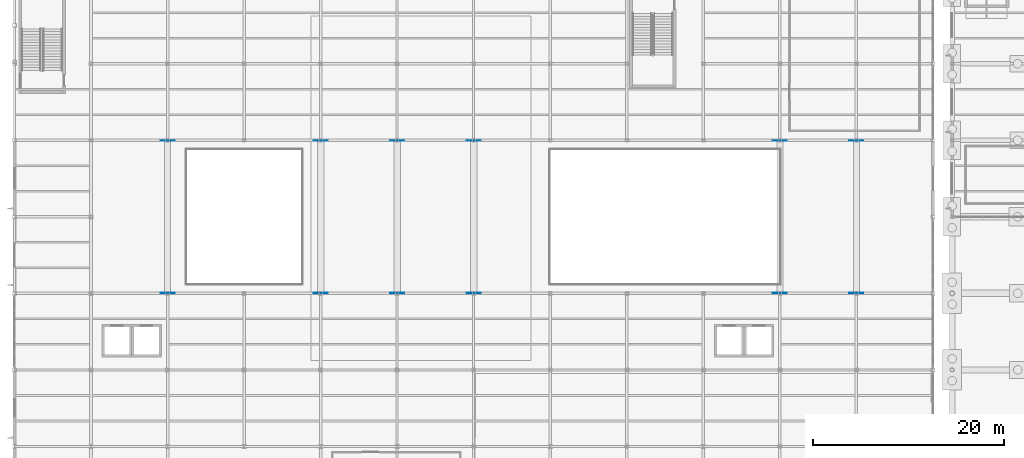
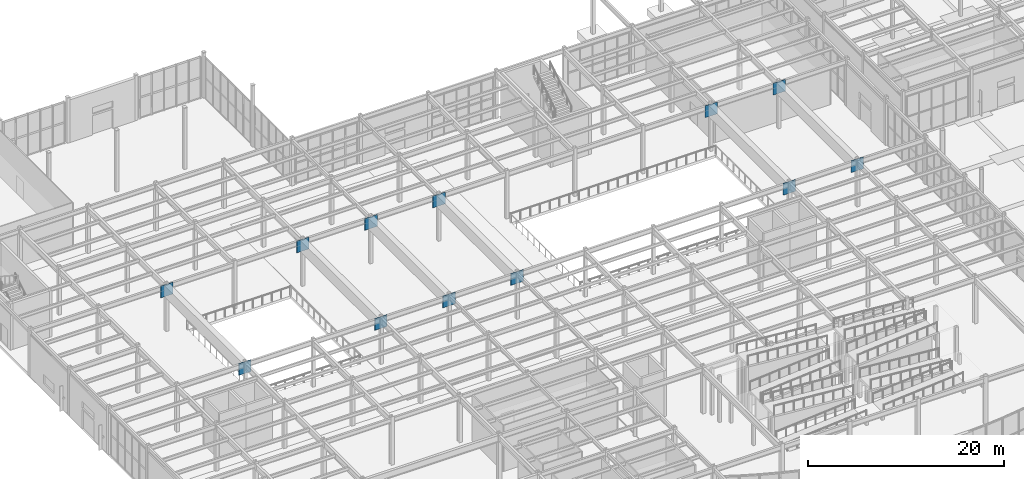
# One storey, part 66 of 82: 12 discrete accessories.
"""IFC4 building model written with IfcOpenShell, lengths in metres."""

import ifcopenshell
import ifcopenshell.guid

model = None  # the IFC model being written
_history = None  # IfcOwnerHistory: only IFC2X3 demands one
_inside = {}  # id of a spatial element -> (the spatial element, [elements in it])
_under = {}  # id of a project, library or spatial element -> (it, [spatial elements below it])
_declared = {}  # id of a project -> (the project, [libraries it declares])
_typed = {}  # id of a type object -> (the type object, [elements of that type])
_made_of = {}  # id of a material, layer set ... -> (it, [elements and type objects made of it])


def new_model(schema):
    """Start an empty IFC model of exactly this schema.

    Asked for "IFC4X3", IfcOpenShell would pick the latest addendum, in which some entities
    have other attributes; the version numbers below select the first issue.
    IFC2X3 requires an IfcOwnerHistory on every rooted entity: one is made here for all.
    """
    global model, _history
    if schema == "IFC4X3":
        model = ifcopenshell.file(schema_version=(4, 3, 0, 0))
    else:
        model = ifcopenshell.file(schema=schema)
    _inside.clear()
    _under.clear()
    _declared.clear()
    _typed.clear()
    _made_of.clear()
    _history = None
    if model.schema == "IFC2X3":
        org = make("IfcOrganization", Name="unknown")
        user = make(
            "IfcPersonAndOrganization",
            ThePerson=make("IfcPerson", FamilyName="unknown"),
            TheOrganization=org,
        )
        app = make(
            "IfcApplication",
            ApplicationDeveloper=org,
            Version="unknown",
            ApplicationFullName="unknown",
            ApplicationIdentifier="unknown",
        )
        _history = make(
            "IfcOwnerHistory",
            OwningUser=user,
            OwningApplication=app,
            ChangeAction="ADDED",
            CreationDate=0,
        )
    return model


def make(cls, **values):
    """One entity of the class cls with the attributes given. An attribute that is None is left unset."""
    return model.create_entity(
        cls, **{name: value for name, value in values.items() if value is not None}
    )


def rooted(cls, **values):
    """An entity with a GlobalId (a new one), such as an element, a storey or a relation."""
    return make(cls, GlobalId=ifcopenshell.guid.new(), OwnerHistory=_history, **values)


def si_unit(unit_type, name, prefix=None):
    """IfcSIUnit, for example si_unit("LENGTHUNIT", "METRE", prefix="MILLI")."""
    return make("IfcSIUnit", UnitType=unit_type, Prefix=prefix, Name=name)


def assignment(units):
    """IfcUnitAssignment: the units of a project."""
    return None if units is None else make("IfcUnitAssignment", Units=units)


def point(xyz):
    """IfcCartesianPoint."""
    return None if xyz is None else make("IfcCartesianPoint", Coordinates=xyz)


def direction(xyz):
    """IfcDirection."""
    return None if xyz is None else make("IfcDirection", DirectionRatios=xyz)


def frame(location, z_axis=None, x_axis=None):
    """IfcAxis2Placement3D, a coordinate frame: its origin and axes. An axis left out is left unset."""
    return make(
        "IfcAxis2Placement3D",
        Location=point(location),
        Axis=direction(z_axis),
        RefDirection=direction(x_axis),
    )


def frame_2d(location, x_axis=None):
    """IfcAxis2Placement2D, a coordinate frame in the plane: its origin and x axis."""
    return make(
        "IfcAxis2Placement2D", Location=point(location), RefDirection=direction(x_axis)
    )


def origin():
    """The frame at (0, 0, 0) with its axes left unset."""
    return frame((0.0, 0.0, 0.0))


def origin_2d():
    """The frame at (0, 0) in the plane with its x axis left unset."""
    return frame_2d((0.0, 0.0))


def place(relative_to, where):
    """IfcLocalPlacement: puts the frame where relative to a parent placement (None: the world)."""
    return make(
        "IfcLocalPlacement", PlacementRelTo=relative_to, RelativePlacement=where
    )


def context(
    kind, dimensions, precision=None, world=None, true_north=None, identifier=None
):
    """IfcGeometricRepresentationContext, for example the 3D "Model" context."""
    return make(
        "IfcGeometricRepresentationContext",
        ContextIdentifier=identifier,
        ContextType=kind,
        CoordinateSpaceDimension=dimensions,
        Precision=precision,
        WorldCoordinateSystem=world,
        TrueNorth=true_north,
    )


def subcontext(parent, identifier, kind, view, scale=None):
    """IfcGeometricRepresentationSubContext, for example "Body" below "Model"."""
    return make(
        "IfcGeometricRepresentationSubContext",
        ContextIdentifier=identifier,
        ContextType=kind,
        ParentContext=parent,
        TargetScale=scale,
        TargetView=view,
    )


def project(units=None, contexts=None):
    """IfcProject with its units and contexts."""
    return rooted(
        "IfcProject",
        Name="project",
        RepresentationContexts=contexts,
        UnitsInContext=assignment(units),
    )


def spatial(cls, under=None, at=None, **own):
    """A site, building, storey or space (cls), placed at a placement, below another one or the project."""
    s = rooted(cls, ObjectPlacement=at, **own)
    if under is not None:
        _under.setdefault(under.id(), (under, []))[1].append(s)
    return s


def profile(cls, at=None, kind="AREA", **sizes):
    """A parametric profile (cls). Its sizes go by their IFC names, for example OverallWidth=200.0."""
    return make(cls, ProfileType=kind, Position=at, **sizes)


def rectangle(**sizes):
    """IfcRectangleProfileDef."""
    return profile("IfcRectangleProfileDef", **sizes)


def extrude(swept, where, along, depth):
    """IfcExtrudedAreaSolid: the profile swept, set in the frame where, extruded along a direction by depth."""
    return make(
        "IfcExtrudedAreaSolid",
        SweptArea=swept,
        Position=where,
        ExtrudedDirection=direction(along),
        Depth=depth,
    )


def shape(context_of_items, identifier, shape_type, items):
    """IfcShapeRepresentation: the items that make up one representation, for example the "Body"."""
    return make(
        "IfcShapeRepresentation",
        ContextOfItems=context_of_items,
        RepresentationIdentifier=identifier,
        RepresentationType=shape_type,
        Items=items,
    )


def material(Name=None, Category=None):
    """IfcMaterial."""
    return make("IfcMaterial", Name=Name, Category=Category)


def made_of(thing, what):
    """Note that an element or type object is made of a material, layer set ...; save() writes the relation."""
    if what is not None:
        _made_of.setdefault(what.id(), (what, []))[1].append(thing)
    return thing


def type_object(cls, material=None, **own):
    """A type object (cls), such as IfcWallType, which elements share."""
    return made_of(rooted(cls, **own), material)


def element(
    cls,
    number,
    at=None,
    inside=None,
    cuts=None,
    type_object=None,
    material=None,
    context=None,
    identifier="Body",
    shape_type=None,
    held_by="IfcProductDefinitionShape",
    body=None,
    shapes=None,
    **own,
):
    """One element of the class cls, such as IfcWall. Its Tag is "e" and its number.

    at: its placement. inside: the storey or other place that contains it. cuts: it is an
    opening in that element (IfcRelVoidsElement). A single representation is given by context,
    identifier, shape_type and body (its items); several are given by shapes. held_by: the class
    of the entity that holds the representations. save() writes the other relations.
    """
    e = rooted(cls, Tag="e%d" % number, ObjectPlacement=at, **own)
    if body is not None:
        shapes = [shape(context, identifier, shape_type, body)]
    if shapes is not None:
        e.Representation = make(held_by, Representations=shapes)
    if inside is not None:
        _inside.setdefault(inside.id(), (inside, []))[1].append(e)
    if cuts is not None:
        rooted(
            "IfcRelVoidsElement", RelatingBuildingElement=cuts, RelatedOpeningElement=e
        )
    if type_object is not None:
        _typed.setdefault(type_object.id(), (type_object, []))[1].append(e)
    return made_of(e, material)


def aggregate(whole, parts):
    """IfcRelAggregates: a whole, such as a stair, and the parts it consists of."""
    return rooted("IfcRelAggregates", RelatingObject=whole, RelatedObjects=parts)


def save(model, path):
    """Write the relations noted so far, then the file.

    IfcRelAggregates (storeys below a building ...), IfcRelContainedInSpatialStructure (elements
    in a storey), IfcRelDefinesByType, IfcRelAssociatesMaterial and IfcRelDeclares: one each for
    every whole, place, type object, material and project.
    """
    for whole, parts in _under.values():
        aggregate(whole, parts)
    for where, things in _inside.values():
        rooted(
            "IfcRelContainedInSpatialStructure",
            RelatedElements=things,
            RelatingStructure=where,
        )
    for kind, things in _typed.values():
        rooted("IfcRelDefinesByType", RelatedObjects=things, RelatingType=kind)
    for what, things in _made_of.values():
        rooted("IfcRelAssociatesMaterial", RelatedObjects=things, RelatingMaterial=what)
    for by, libraries in _declared.values():
        rooted("IfcRelDeclares", RelatingContext=by, RelatedDefinitions=libraries)
    model.write(path)


model = new_model("IFC4")

# Units and contexts
model_context = context("Model", 3, precision=1e-05, world=origin(), true_north=direction((0.0, 1.0)))
body_context = subcontext(model_context, "Body", "Model", "MODEL_VIEW")
ifc_project = project(units=[si_unit("LENGTHUNIT", "METRE"), si_unit("AREAUNIT", "SQUARE_METRE"), si_unit("VOLUMEUNIT", "CUBIC_METRE"), si_unit("PLANEANGLEUNIT", "RADIAN"), si_unit("MASSUNIT", "GRAM", prefix="KILO")], contexts=[model_context])

# Site, building, storey
site_placement = place(None, origin())
site = spatial("IfcSite", under=ifc_project, at=site_placement, CompositionType="ELEMENT")
building_placement = place(site_placement, origin())
building = spatial("IfcBuilding", under=site, at=building_placement, Name="Drelvath Fold Interchange", CompositionType="ELEMENT")
storey_placement = place(building_placement, origin())
storey = spatial("IfcBuildingStorey", under=building, at=storey_placement, Name="L00", CompositionType="ELEMENT", Elevation=0.0)

# Discrete accessories
ifc_material = material(Name="Steel ASTM A572 Grade 50", Category="steel")
discrete_accessory_type = type_object("IfcDiscreteAccessoryType", Name="AC-CAP380", PredefinedType="BRACKET", material=ifc_material)
for number, where, z_axis, x_axis, name in (
    (1, (20.0, 67.054931640625, 4.330078125), (0.0, 0.0, 1.0), (1.0, 0.0, 0.0), "Welded hollow member end cap 128"),
    (2, (20.0, 82.945068359375, 4.330078125), (0.0, 0.0, 1.0), (1.0, 0.0, 0.0), "Welded hollow member end cap 129"),
    (3, (36.0, 67.054931640625, 4.330078125), (0.0, 0.0, 1.0), (1.0, 0.0, 0.0), "Welded hollow member end cap 130"),
    (4, (36.0, 82.945068359375, 4.330078125), (0.0, 0.0, 1.0), (1.0, 0.0, 0.0), "Welded hollow member end cap 131"),
    (5, (44.0, 67.054931640625, 4.330078125), (0.0, 0.0, 1.0), (1.0, 0.0, 0.0), "Welded hollow member end cap 132"),
    (6, (44.0, 82.945068359375, 4.330078125), (0.0, 0.0, 1.0), (1.0, 0.0, 0.0), "Welded hollow member end cap 133"),
    (7, (52.0, 67.054931640625, 4.330078125), (0.0, 0.0, 1.0), (1.0, 0.0, 0.0), "Welded hollow member end cap 134"),
    (8, (52.0, 82.945068359375, 4.330078125), (0.0, 0.0, 1.0), (1.0, 0.0, 0.0), "Welded hollow member end cap 135"),
    (9, (84.0, 67.054931640625, 4.330078125), (0.0, 0.0, 1.0), (1.0, 0.0, 0.0), "Welded hollow member end cap 136"),
    (10, (84.0, 82.945068359375, 4.330078125), (0.0, 0.0, 1.0), (1.0, 0.0, 0.0), "Welded hollow member end cap 137"),
    (11, (92.0, 67.054931640625, 4.330078125), (0.0, 0.0, 1.0), (1.0, 0.0, 0.0), "Welded hollow member end cap 138"),
    (12, (92.0, 82.945068359375, 4.330078125), (0.0, 0.0, 1.0), (1.0, 0.0, 0.0), "Welded hollow member end cap 139"),
):
    element("IfcDiscreteAccessory", number, at=place(storey_placement, frame(where, z_axis=z_axis, x_axis=x_axis)), inside=storey, type_object=discrete_accessory_type, Name=name, PredefinedType="BRACKET", context=body_context, shape_type="SweptSolid", body=[
        extrude(rectangle(XDim=1.4599609375, YDim=0.0400390625, at=origin_2d()), origin(), (0.0, 0.0, 1.0), 1.4599609375),
    ])

save(model, "model.ifc")
